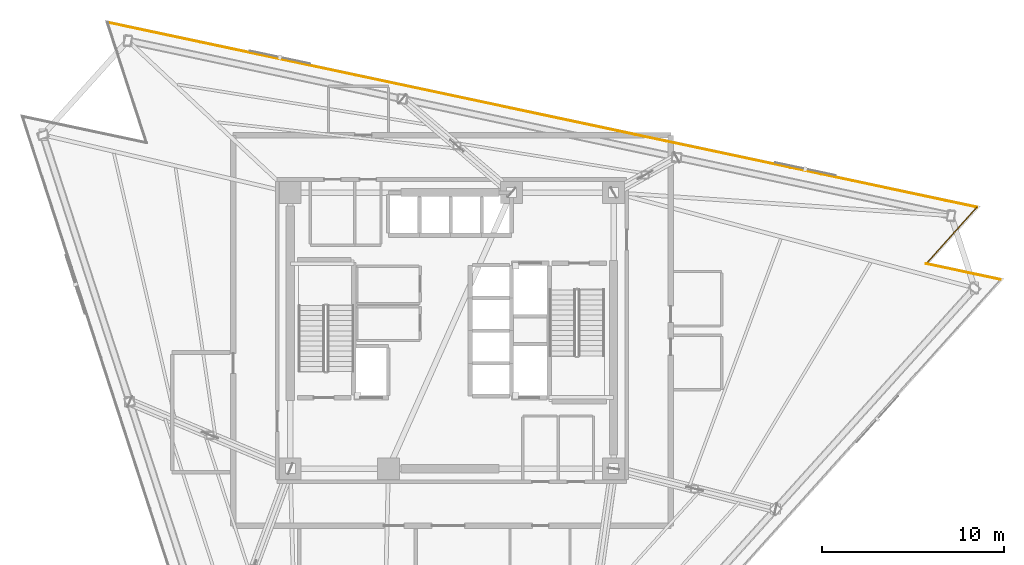
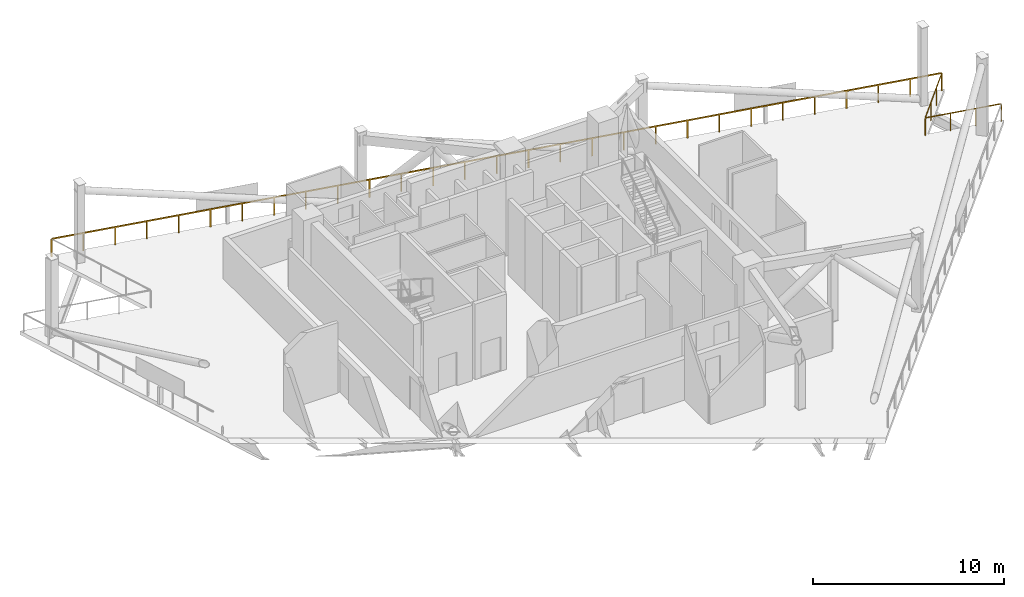
# One storey, part 15 of 15: 3 railings.
"""IFC4 building model written with IfcOpenShell, lengths in metres."""

from ifc_helpers import new_model, si_unit, direction, frame, origin, origin_2d, place, context, subcontext, project, spatial, rectangle, extrude, material, type_object, element, save


model = new_model("IFC4")

# Units and contexts
model_context = context("Model", 3, precision=1e-05, world=origin(), true_north=direction((0.0, 1.0)))
body_context = subcontext(model_context, "Body", "Model", "MODEL_VIEW")
ifc_project = project(units=[si_unit("LENGTHUNIT", "METRE"), si_unit("AREAUNIT", "SQUARE_METRE"), si_unit("VOLUMEUNIT", "CUBIC_METRE"), si_unit("PLANEANGLEUNIT", "RADIAN"), si_unit("MASSUNIT", "GRAM", prefix="KILO")], contexts=[model_context])

# Site, building, storey
site_placement = place(None, origin())
site = spatial("IfcSite", under=ifc_project, at=site_placement, CompositionType="ELEMENT")
building_placement = place(site_placement, origin())
building = spatial("IfcBuilding", under=site, at=building_placement, Name="Tharavind Bronze Gate", CompositionType="ELEMENT")
storey_placement = place(building_placement, frame((0.0, 0.0, 222.050048828125)))
storey = spatial("IfcBuildingStorey", under=building, at=storey_placement, Name="L57", CompositionType="ELEMENT", Elevation=222.050048828125)

# Railings
ifc_material = material(Name="Bronze Cap & Laminated Glass", Category="glass")
railing_type = type_object("IfcRailingType", Name="TERRACE GLASS GUARD RAILING 1150", PredefinedType="GUARDRAIL", material=ifc_material)
railing_1_placement = place(storey_placement, frame((30.199462890625, 2.810546875, 0.0)))
element("IfcRailing", 1, at=railing_1_placement, inside=storey, type_object=railing_type, Name="L57 open wind floor perimeter guard railing 7", PredefinedType="GUARDRAIL", context=body_context, shape_type="SweptSolid", body=[
    extrude(rectangle(XDim=0.048095703125, YDim=0.048095703125, at=origin_2d()), frame((-0.03125, 0.006591796875, 1.1259765625), z_axis=(-0.978144033538, 0.207928472445, 0.0), x_axis=(-0.207928472445, -0.978144033538, 0.0)), (0.0, 0.0, 1.0), 4.124267578125),
    extrude(rectangle(XDim=0.0400390625, YDim=0.0400390625, at=origin_2d()), origin(), (0.0, 0.0, 1.0), 1.097900390625),
    extrude(rectangle(XDim=0.0400390625, YDim=0.0400390625, at=origin_2d()), frame((-1.365478515625, 0.290283203125, 0.0)), (0.0, 0.0, 1.0), 1.097900390625),
    extrude(rectangle(XDim=0.0400390625, YDim=0.0400390625, at=origin_2d()), frame((-2.731201171875, 0.58056640625, 0.0)), (0.0, 0.0, 1.0), 1.097900390625),
    extrude(rectangle(XDim=0.0400390625, YDim=0.0400390625, at=origin_2d()), frame((-4.0966796875, 0.870849609375, 0.0)), (0.0, 0.0, 1.0), 1.097900390625),
])
railing_2_placement = place(storey_placement, frame((26.102783203125, 3.681396484375, 0.0)))
element("IfcRailing", 2, at=railing_2_placement, inside=storey, type_object=railing_type, Name="L57 open wind floor perimeter guard railing 8", PredefinedType="GUARDRAIL", context=body_context, shape_type="SweptSolid", body=[
    extrude(rectangle(XDim=0.048095703125, YDim=0.048095703125, at=origin_2d()), frame((0.021484375, 0.023681640625, 1.1259765625), z_axis=(0.669151507466, 0.743126005504, 0.0), x_axis=(-0.743126005504, 0.669151507466, 0.0)), (0.0, 0.0, 1.0), 4.1240234375),
    extrude(rectangle(XDim=0.0400390625, YDim=0.0400390625, at=origin_2d()), origin(), (0.0, 0.0, 1.0), 1.097900390625),
    extrude(rectangle(XDim=0.0400390625, YDim=0.0400390625, at=origin_2d()), frame((0.93408203125, 1.037353515625, 0.0)), (0.0, 0.0, 1.0), 1.097900390625),
    extrude(rectangle(XDim=0.0400390625, YDim=0.0400390625, at=origin_2d()), frame((1.868408203125, 2.074951171875, 0.0)), (0.0, 0.0, 1.0), 1.097900390625),
    extrude(rectangle(XDim=0.0400390625, YDim=0.0400390625, at=origin_2d()), frame((2.802490234375, 3.1123046875, 0.0)), (0.0, 0.0, 1.0), 1.097900390625),
])
railing_3_placement = place(storey_placement, frame((28.9052734375, 6.793701171875, 0.0)))
element("IfcRailing", 3, at=railing_3_placement, inside=storey, type_object=railing_type, Name="L57 open wind floor perimeter guard railing 9", PredefinedType="GUARDRAIL", context=body_context, shape_type="SweptSolid", body=[
    extrude(rectangle(XDim=0.048095703125, YDim=0.048095703125, at=origin_2d()), frame((-0.03125, 0.006591796875, 1.1259765625), z_axis=(-0.978148388792, 0.207907983259, 0.0), x_axis=(-0.207907983259, -0.978148388792, 0.0)), (0.0, 0.0, 1.0), 48.870361328125),
    extrude(rectangle(XDim=0.0400390625, YDim=0.0400390625, at=origin_2d()), origin(), (0.0, 0.0, 1.0), 1.097900390625),
    extrude(rectangle(XDim=0.0400390625, YDim=0.0400390625, at=origin_2d()), frame((-1.70947265625, 0.36328125, 0.0)), (0.0, 0.0, 1.0), 1.097900390625),
    extrude(rectangle(XDim=0.0400390625, YDim=0.0400390625, at=origin_2d()), frame((-3.4189453125, 0.726806640625, 0.0)), (0.0, 0.0, 1.0), 1.097900390625),
    extrude(rectangle(XDim=0.0400390625, YDim=0.0400390625, at=origin_2d()), frame((-5.12841796875, 1.090087890625, 0.0)), (0.0, 0.0, 1.0), 1.097900390625),
    extrude(rectangle(XDim=0.0400390625, YDim=0.0400390625, at=origin_2d()), frame((-6.837890625, 1.453369140625, 0.0)), (0.0, 0.0, 1.0), 1.097900390625),
    extrude(rectangle(XDim=0.0400390625, YDim=0.0400390625, at=origin_2d()), frame((-8.54736328125, 1.816650390625, 0.0)), (0.0, 0.0, 1.0), 1.097900390625),
    extrude(rectangle(XDim=0.0400390625, YDim=0.0400390625, at=origin_2d()), frame((-10.2568359375, 2.18017578125, 0.0)), (0.0, 0.0, 1.0), 1.097900390625),
    extrude(rectangle(XDim=0.0400390625, YDim=0.0400390625, at=origin_2d()), frame((-11.96630859375, 2.54345703125, 0.0)), (0.0, 0.0, 1.0), 1.097900390625),
    extrude(rectangle(XDim=0.0400390625, YDim=0.0400390625, at=origin_2d()), frame((-13.67578125, 2.90673828125, 0.0)), (0.0, 0.0, 1.0), 1.097900390625),
    extrude(rectangle(XDim=0.0400390625, YDim=0.0400390625, at=origin_2d()), frame((-15.38525390625, 3.270263671875, 0.0)), (0.0, 0.0, 1.0), 1.097900390625),
    extrude(rectangle(XDim=0.0400390625, YDim=0.0400390625, at=origin_2d()), frame((-17.0947265625, 3.633544921875, 0.0)), (0.0, 0.0, 1.0), 1.097900390625),
    extrude(rectangle(XDim=0.0400390625, YDim=0.0400390625, at=origin_2d()), frame((-18.80419921875, 3.996826171875, 0.0)), (0.0, 0.0, 1.0), 1.097900390625),
    extrude(rectangle(XDim=0.0400390625, YDim=0.0400390625, at=origin_2d()), frame((-20.513671875, 4.360107421875, 0.0)), (0.0, 0.0, 1.0), 1.097900390625),
    extrude(rectangle(XDim=0.0400390625, YDim=0.0400390625, at=origin_2d()), frame((-22.22314453125, 4.7236328125, 0.0)), (0.0, 0.0, 1.0), 1.097900390625),
    extrude(rectangle(XDim=0.0400390625, YDim=0.0400390625, at=origin_2d()), frame((-23.9326171875, 5.0869140625, 0.0)), (0.0, 0.0, 1.0), 1.097900390625),
    extrude(rectangle(XDim=0.0400390625, YDim=0.0400390625, at=origin_2d()), frame((-25.641845703125, 5.4501953125, 0.0)), (0.0, 0.0, 1.0), 1.097900390625),
    extrude(rectangle(XDim=0.0400390625, YDim=0.0400390625, at=origin_2d()), frame((-27.351318359375, 5.813720703125, 0.0)), (0.0, 0.0, 1.0), 1.097900390625),
    extrude(rectangle(XDim=0.0400390625, YDim=0.0400390625, at=origin_2d()), frame((-29.060791015625, 6.177001953125, 0.0)), (0.0, 0.0, 1.0), 1.097900390625),
    extrude(rectangle(XDim=0.0400390625, YDim=0.0400390625, at=origin_2d()), frame((-30.770263671875, 6.540283203125, 0.0)), (0.0, 0.0, 1.0), 1.097900390625),
    extrude(rectangle(XDim=0.0400390625, YDim=0.0400390625, at=origin_2d()), frame((-32.479736328125, 6.903564453125, 0.0)), (0.0, 0.0, 1.0), 1.097900390625),
    extrude(rectangle(XDim=0.0400390625, YDim=0.0400390625, at=origin_2d()), frame((-34.189208984375, 7.26708984375, 0.0)), (0.0, 0.0, 1.0), 1.097900390625),
    extrude(rectangle(XDim=0.0400390625, YDim=0.0400390625, at=origin_2d()), frame((-35.898681640625, 7.63037109375, 0.0)), (0.0, 0.0, 1.0), 1.097900390625),
    extrude(rectangle(XDim=0.0400390625, YDim=0.0400390625, at=origin_2d()), frame((-37.608154296875, 7.99365234375, 0.0)), (0.0, 0.0, 1.0), 1.097900390625),
    extrude(rectangle(XDim=0.0400390625, YDim=0.0400390625, at=origin_2d()), frame((-39.317626953125, 8.357177734375, 0.0)), (0.0, 0.0, 1.0), 1.097900390625),
    extrude(rectangle(XDim=0.0400390625, YDim=0.0400390625, at=origin_2d()), frame((-41.027099609375, 8.720458984375, 0.0)), (0.0, 0.0, 1.0), 1.097900390625),
    extrude(rectangle(XDim=0.0400390625, YDim=0.0400390625, at=origin_2d()), frame((-42.736572265625, 9.083740234375, 0.0)), (0.0, 0.0, 1.0), 1.097900390625),
    extrude(rectangle(XDim=0.0400390625, YDim=0.0400390625, at=origin_2d()), frame((-44.446044921875, 9.447021484375, 0.0)), (0.0, 0.0, 1.0), 1.097900390625),
    extrude(rectangle(XDim=0.0400390625, YDim=0.0400390625, at=origin_2d()), frame((-46.155517578125, 9.810546875, 0.0)), (0.0, 0.0, 1.0), 1.097900390625),
    extrude(rectangle(XDim=0.0400390625, YDim=0.0400390625, at=origin_2d()), frame((-47.864990234375, 10.173828125, 0.0)), (0.0, 0.0, 1.0), 1.097900390625),
])

save(model, "model.ifc")
